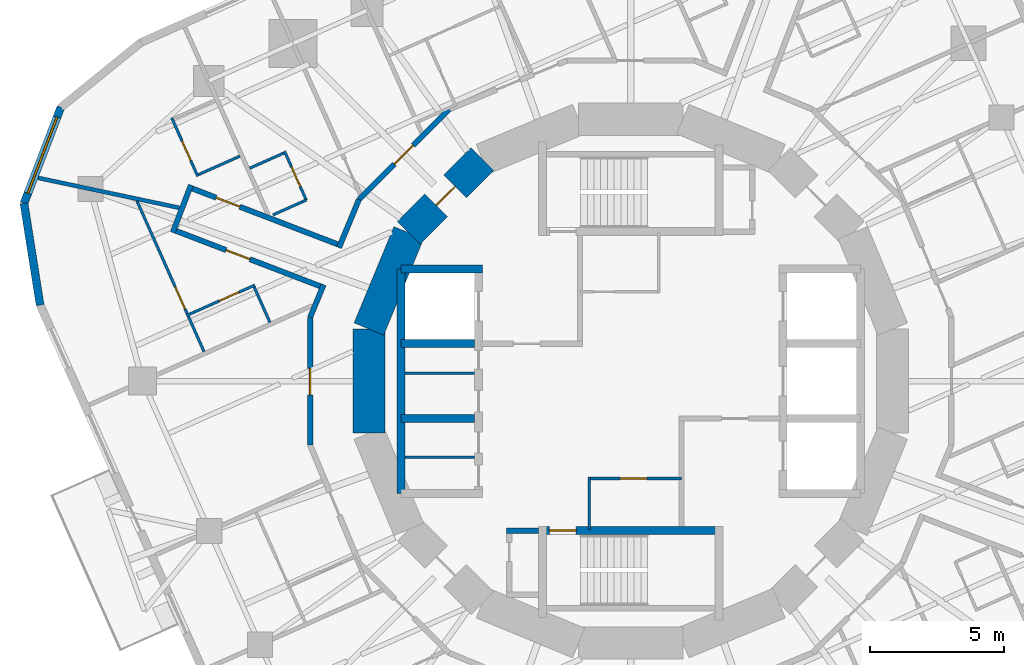
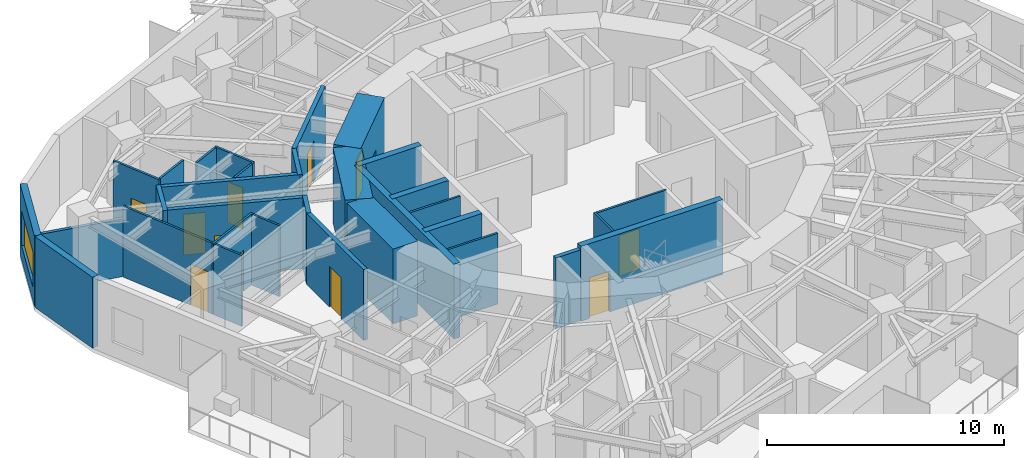
# One storey, part 6 of 12: 33 walls, 11 doors, 1 window, 12 openings.
"""IFC4 building model written with IfcOpenShell, lengths in metres."""

import ifcopenshell
import ifcopenshell.guid

model = None  # the IFC model being written
_history = None  # IfcOwnerHistory: only IFC2X3 demands one
_inside = {}  # id of a spatial element -> (the spatial element, [elements in it])
_under = {}  # id of a project, library or spatial element -> (it, [spatial elements below it])
_declared = {}  # id of a project -> (the project, [libraries it declares])
_typed = {}  # id of a type object -> (the type object, [elements of that type])
_made_of = {}  # id of a material, layer set ... -> (it, [elements and type objects made of it])


def new_model(schema):
    """Start an empty IFC model of exactly this schema.

    Asked for "IFC4X3", IfcOpenShell would pick the latest addendum, in which some entities
    have other attributes; the version numbers below select the first issue.
    IFC2X3 requires an IfcOwnerHistory on every rooted entity: one is made here for all.
    """
    global model, _history
    if schema == "IFC4X3":
        model = ifcopenshell.file(schema_version=(4, 3, 0, 0))
    else:
        model = ifcopenshell.file(schema=schema)
    _inside.clear()
    _under.clear()
    _declared.clear()
    _typed.clear()
    _made_of.clear()
    _history = None
    if model.schema == "IFC2X3":
        org = make("IfcOrganization", Name="unknown")
        user = make(
            "IfcPersonAndOrganization",
            ThePerson=make("IfcPerson", FamilyName="unknown"),
            TheOrganization=org,
        )
        app = make(
            "IfcApplication",
            ApplicationDeveloper=org,
            Version="unknown",
            ApplicationFullName="unknown",
            ApplicationIdentifier="unknown",
        )
        _history = make(
            "IfcOwnerHistory",
            OwningUser=user,
            OwningApplication=app,
            ChangeAction="ADDED",
            CreationDate=0,
        )
    return model


def make(cls, **values):
    """One entity of the class cls with the attributes given. An attribute that is None is left unset."""
    return model.create_entity(
        cls, **{name: value for name, value in values.items() if value is not None}
    )


def rooted(cls, **values):
    """An entity with a GlobalId (a new one), such as an element, a storey or a relation."""
    return make(cls, GlobalId=ifcopenshell.guid.new(), OwnerHistory=_history, **values)


def si_unit(unit_type, name, prefix=None):
    """IfcSIUnit, for example si_unit("LENGTHUNIT", "METRE", prefix="MILLI")."""
    return make("IfcSIUnit", UnitType=unit_type, Prefix=prefix, Name=name)


def assignment(units):
    """IfcUnitAssignment: the units of a project."""
    return None if units is None else make("IfcUnitAssignment", Units=units)


def point(xyz):
    """IfcCartesianPoint."""
    return None if xyz is None else make("IfcCartesianPoint", Coordinates=xyz)


def direction(xyz):
    """IfcDirection."""
    return None if xyz is None else make("IfcDirection", DirectionRatios=xyz)


def frame(location, z_axis=None, x_axis=None):
    """IfcAxis2Placement3D, a coordinate frame: its origin and axes. An axis left out is left unset."""
    return make(
        "IfcAxis2Placement3D",
        Location=point(location),
        Axis=direction(z_axis),
        RefDirection=direction(x_axis),
    )


def frame_2d(location, x_axis=None):
    """IfcAxis2Placement2D, a coordinate frame in the plane: its origin and x axis."""
    return make(
        "IfcAxis2Placement2D", Location=point(location), RefDirection=direction(x_axis)
    )


def origin():
    """The frame at (0, 0, 0) with its axes left unset."""
    return frame((0.0, 0.0, 0.0))


def place(relative_to, where):
    """IfcLocalPlacement: puts the frame where relative to a parent placement (None: the world)."""
    return make(
        "IfcLocalPlacement", PlacementRelTo=relative_to, RelativePlacement=where
    )


def context(
    kind, dimensions, precision=None, world=None, true_north=None, identifier=None
):
    """IfcGeometricRepresentationContext, for example the 3D "Model" context."""
    return make(
        "IfcGeometricRepresentationContext",
        ContextIdentifier=identifier,
        ContextType=kind,
        CoordinateSpaceDimension=dimensions,
        Precision=precision,
        WorldCoordinateSystem=world,
        TrueNorth=true_north,
    )


def subcontext(parent, identifier, kind, view, scale=None):
    """IfcGeometricRepresentationSubContext, for example "Body" below "Model"."""
    return make(
        "IfcGeometricRepresentationSubContext",
        ContextIdentifier=identifier,
        ContextType=kind,
        ParentContext=parent,
        TargetScale=scale,
        TargetView=view,
    )


def project(units=None, contexts=None):
    """IfcProject with its units and contexts."""
    return rooted(
        "IfcProject",
        Name="project",
        RepresentationContexts=contexts,
        UnitsInContext=assignment(units),
    )


def spatial(cls, under=None, at=None, **own):
    """A site, building, storey or space (cls), placed at a placement, below another one or the project."""
    s = rooted(cls, ObjectPlacement=at, **own)
    if under is not None:
        _under.setdefault(under.id(), (under, []))[1].append(s)
    return s


def profile(cls, at=None, kind="AREA", **sizes):
    """A parametric profile (cls). Its sizes go by their IFC names, for example OverallWidth=200.0."""
    return make(cls, ProfileType=kind, Position=at, **sizes)


def rectangle(**sizes):
    """IfcRectangleProfileDef."""
    return profile("IfcRectangleProfileDef", **sizes)


def extrude(swept, where, along, depth):
    """IfcExtrudedAreaSolid: the profile swept, set in the frame where, extruded along a direction by depth."""
    return make(
        "IfcExtrudedAreaSolid",
        SweptArea=swept,
        Position=where,
        ExtrudedDirection=direction(along),
        Depth=depth,
    )


def shape(context_of_items, identifier, shape_type, items):
    """IfcShapeRepresentation: the items that make up one representation, for example the "Body"."""
    return make(
        "IfcShapeRepresentation",
        ContextOfItems=context_of_items,
        RepresentationIdentifier=identifier,
        RepresentationType=shape_type,
        Items=items,
    )


def material(Name=None, Category=None):
    """IfcMaterial."""
    return make("IfcMaterial", Name=Name, Category=Category)


def layer(
    of_material, thickness, ventilated=None, Name=None, Category=None, Priority=None
):
    """IfcMaterialLayer: one layer of a wall or slab, of a material (None: an air gap)."""
    return make(
        "IfcMaterialLayer",
        Material=of_material,
        LayerThickness=thickness,
        IsVentilated=ventilated,
        Name=Name,
        Category=Category,
        Priority=Priority,
    )


def layer_set(layers, Name=None):
    """IfcMaterialLayerSet."""
    return make("IfcMaterialLayerSet", MaterialLayers=layers, LayerSetName=Name)


def made_of(thing, what):
    """Note that an element or type object is made of a material, layer set ...; save() writes the relation."""
    if what is not None:
        _made_of.setdefault(what.id(), (what, []))[1].append(thing)
    return thing


def type_object(cls, material=None, **own):
    """A type object (cls), such as IfcWallType, which elements share."""
    return made_of(rooted(cls, **own), material)


def element(
    cls,
    number,
    at=None,
    inside=None,
    cuts=None,
    type_object=None,
    material=None,
    context=None,
    identifier="Body",
    shape_type=None,
    held_by="IfcProductDefinitionShape",
    body=None,
    shapes=None,
    **own,
):
    """One element of the class cls, such as IfcWall. Its Tag is "e" and its number.

    at: its placement. inside: the storey or other place that contains it. cuts: it is an
    opening in that element (IfcRelVoidsElement). A single representation is given by context,
    identifier, shape_type and body (its items); several are given by shapes. held_by: the class
    of the entity that holds the representations. save() writes the other relations.
    """
    e = rooted(cls, Tag="e%d" % number, ObjectPlacement=at, **own)
    if body is not None:
        shapes = [shape(context, identifier, shape_type, body)]
    if shapes is not None:
        e.Representation = make(held_by, Representations=shapes)
    if inside is not None:
        _inside.setdefault(inside.id(), (inside, []))[1].append(e)
    if cuts is not None:
        rooted(
            "IfcRelVoidsElement", RelatingBuildingElement=cuts, RelatedOpeningElement=e
        )
    if type_object is not None:
        _typed.setdefault(type_object.id(), (type_object, []))[1].append(e)
    return made_of(e, material)


def fill(opening, filler):
    """IfcRelFillsElement: the door or window that sits in an opening."""
    return rooted(
        "IfcRelFillsElement",
        RelatingOpeningElement=opening,
        RelatedBuildingElement=filler,
    )


def aggregate(whole, parts):
    """IfcRelAggregates: a whole, such as a stair, and the parts it consists of."""
    return rooted("IfcRelAggregates", RelatingObject=whole, RelatedObjects=parts)


def save(model, path):
    """Write the relations noted so far, then the file.

    IfcRelAggregates (storeys below a building ...), IfcRelContainedInSpatialStructure (elements
    in a storey), IfcRelDefinesByType, IfcRelAssociatesMaterial and IfcRelDeclares: one each for
    every whole, place, type object, material and project.
    """
    for whole, parts in _under.values():
        aggregate(whole, parts)
    for where, things in _inside.values():
        rooted(
            "IfcRelContainedInSpatialStructure",
            RelatedElements=things,
            RelatingStructure=where,
        )
    for kind, things in _typed.values():
        rooted("IfcRelDefinesByType", RelatedObjects=things, RelatingType=kind)
    for what, things in _made_of.values():
        rooted("IfcRelAssociatesMaterial", RelatedObjects=things, RelatingMaterial=what)
    for by, libraries in _declared.values():
        rooted("IfcRelDeclares", RelatingContext=by, RelatedDefinitions=libraries)
    model.write(path)


model = new_model("IFC4")

# Units and contexts
model_context = context("Model", 3, precision=1e-05, world=origin(), true_north=direction((0.0, 1.0)))
body_context = subcontext(model_context, "Body", "Model", "MODEL_VIEW")
ifc_project = project(units=[si_unit("LENGTHUNIT", "METRE"), si_unit("AREAUNIT", "SQUARE_METRE"), si_unit("VOLUMEUNIT", "CUBIC_METRE"), si_unit("PLANEANGLEUNIT", "RADIAN"), si_unit("MASSUNIT", "GRAM", prefix="KILO")], contexts=[model_context])

# Site, building, storey
site_placement = place(None, origin())
site = spatial("IfcSite", under=ifc_project, at=site_placement, CompositionType="ELEMENT")
building_placement = place(site_placement, origin())
building = spatial("IfcBuilding", under=site, at=building_placement, Name="Nakasero Lantern House", CompositionType="ELEMENT")
storey_placement = place(building_placement, frame((0.0, 0.0, 186.300048828125)))
storey = spatial("IfcBuildingStorey", under=building, at=storey_placement, Name="L45", CompositionType="ELEMENT", Elevation=186.300048828125)

# Walls
ifc_material_1 = material(Name="Concrete C50/60", Category="concrete")
ifc_layer_1 = layer(ifc_material_1, 0.300048828125)
ifc_layer_set_1 = layer_set([ifc_layer_1], Name="Core inner wall 300")
wall_type_1 = type_object("IfcWallType", Name="Core inner wall 300", PredefinedType="SHEAR", material=ifc_layer_set_1)
wall_1_placement = place(storey_placement, frame((-8.60009765625, 4.199951171875, 0.0), z_axis=(0.0, 0.0, 1.0), x_axis=(1.0, 0.0, 0.0)))
element("IfcWall", 1, at=wall_1_placement, inside=storey, type_object=wall_type_1, Name="Core inner wall L45 LWN", PredefinedType="SHEAR", context=body_context, shape_type="SweptSolid", body=[
    extrude(rectangle(XDim=3.050048828125, YDim=0.300048828125, at=frame_2d((1.52490234375, 0.0))), origin(), (0.0, 0.0, 1.0), 3.849853515625),
])
wall_2_placement = place(storey_placement, frame((-8.60009765625, -4.199951171875, 0.0), z_axis=(0.0, 0.0, 1.0), x_axis=(0.0, 1.0, 0.0)))
element("IfcWall", 2, at=wall_2_placement, inside=storey, type_object=wall_type_1, Name="Core inner wall L45 LWB", PredefinedType="SHEAR", context=body_context, shape_type="SweptSolid", body=[
    extrude(rectangle(XDim=8.39990234375, YDim=0.300048828125, at=frame_2d((4.199951171875, 0.0))), origin(), (0.0, 0.0, 1.0), 3.849853515625),
])
for number, where, z_axis, x_axis, name in (
    (3, (-8.60009765625, -1.39990234375, 0.0), (0.0, 0.0, 1.0), (1.0, 0.0, 0.0), "Core inner wall L45 LW1"),
    (4, (-8.60009765625, 1.39990234375, 0.0), (0.0, 0.0, 1.0), (1.0, 0.0, 0.0), "Core inner wall L45 LW2"),
):
    element("IfcWall", number, at=place(storey_placement, frame(where, z_axis=z_axis, x_axis=x_axis)), inside=storey, type_object=wall_type_1, Name=name, PredefinedType="SHEAR", context=body_context, shape_type="SweptSolid", body=[
        extrude(rectangle(XDim=2.75, YDim=0.300048828125, at=frame_2d((1.375, 0.0))), origin(), (0.0, 0.0, 1.0), 3.849853515625),
    ])

# Wall, opening, door
wall_3_placement = place(storey_placement, frame((-3.449951171875, -5.60009765625, 0.0), z_axis=(0.0, 0.0, 1.0), x_axis=(1.0, 0.0, 0.0)))
wall_3 = element("IfcWall", 5, at=wall_3_placement, inside=storey, type_object=wall_type_1, Name="Core inner wall L45 SS", PredefinedType="SHEAR", context=body_context, shape_type="SweptSolid", body=[
    extrude(rectangle(XDim=6.89990234375, YDim=0.300048828125, at=frame_2d((3.449951171875, 0.0))), origin(), (0.0, 0.0, 1.0), 3.849853515625),
])
opening_1_placement = place(wall_3_placement, frame((0.39990234375, 0.0, 0.0)))
opening_1 = element("IfcOpeningElement", 6, at=opening_1_placement, cuts=wall_3, Name="Opening D05", PredefinedType="OPENING", context=body_context, shape_type="SweptSolid", body=[
    extrude(rectangle(XDim=1.0, YDim=2.10009765625, at=frame_2d((0.5, 1.050048828125))), frame((0.0, 0.169921875, 0.0), z_axis=(0.0, -1.0, 0.0), x_axis=(1.0, 0.0, 0.0)), (0.0, 0.0, 1.0), 0.340087890625),
])
ifc_material_2 = material(Name="Timber C24", Category="wood")
door_type_1 = type_object("IfcDoorType", Name="Core door FD60S 1000", OperationType="SINGLE_SWING_LEFT", PredefinedType="DOOR", material=ifc_material_2)
door_1_placement = place(opening_1_placement, origin())
door_1 = element("IfcDoor", 7, at=door_1_placement, inside=storey, type_object=door_type_1, Name="Door L45 D-ST2", OperationType="SINGLE_SWING_LEFT", OverallHeight=2.10009765625, OverallWidth=1.0, PredefinedType="DOOR", context=body_context, shape_type="SweptSolid", body=[
    extrude(rectangle(XDim=1.0, YDim=2.10009765625, at=frame_2d((0.5, 1.050048828125))), frame((0.0, 0.02490234375, 0.0), z_axis=(0.0, -1.0, 0.0), x_axis=(1.0, 0.0, 0.0)), (0.0, 0.0, 1.0), 0.050048828125),
])
fill(opening_1, door_1)

ifc_material_3 = material(Name="Blockwork", Category="masonry")
ifc_layer_2 = layer(ifc_material_3, 0.10009765625)
ifc_layer_set_2 = layer_set([ifc_layer_2], Name="Core room wall 100")
wall_type_2 = type_object("IfcWallType", Name="Core room wall 100", PredefinedType="PARTITIONING", material=ifc_layer_set_2)
wall_4_placement = place(storey_placement, frame((-1.60009765625, -3.64990234375, 0.0), z_axis=(0.0, 0.0, 1.0), x_axis=(1.0, 0.0, 0.0)))
wall_4 = element("IfcWall", 8, at=wall_4_placement, inside=storey, type_object=wall_type_2, Name="Core room wall L45 CR-SWN", PredefinedType="PARTITIONING", context=body_context, shape_type="SweptSolid", body=[
    extrude(rectangle(XDim=3.5, YDim=0.10009765625, at=frame_2d((1.75, 0.0))), origin(), (0.0, 0.0, 1.0), 3.64990234375),
])
opening_2_placement = place(wall_4_placement, frame((1.199951171875, 0.0, 0.0)))
opening_2 = element("IfcOpeningElement", 9, at=opening_2_placement, cuts=wall_4, Name="Opening D07", PredefinedType="OPENING", context=body_context, shape_type="SweptSolid", body=[
    extrude(rectangle(XDim=1.0, YDim=2.10009765625, at=frame_2d((0.5, 1.050048828125))), frame((0.0, 0.070068359375, 0.0), z_axis=(0.0, -1.0, 0.0), x_axis=(1.0, 0.0, 0.0)), (0.0, 0.0, 1.0), 0.14013671875),
])
ifc_material_4 = material(Name="Timber C24", Category="wood")
door_type_2 = type_object("IfcDoorType", Name="Room door FD30S 1000", OperationType="SINGLE_SWING_LEFT", PredefinedType="DOOR", material=ifc_material_4)
door_2_placement = place(opening_2_placement, origin())
door_2 = element("IfcDoor", 10, at=door_2_placement, inside=storey, type_object=door_type_2, Name="Door L45 D-CR-SW", OperationType="SINGLE_SWING_LEFT", OverallHeight=2.10009765625, OverallWidth=1.0, PredefinedType="DOOR", context=body_context, shape_type="SweptSolid", body=[
    extrude(rectangle(XDim=1.0, YDim=2.10009765625, at=frame_2d((0.5, 1.050048828125))), frame((0.0, 0.02490234375, 0.0), z_axis=(0.0, -1.0, 0.0), x_axis=(1.0, 0.0, 0.0)), (0.0, 0.0, 1.0), 0.050048828125),
])
fill(opening_2, door_2)

# Walls
wall_5_placement = place(storey_placement, frame((-1.550048828125, -5.550048828125, 0.0), z_axis=(0.0, 0.0, 1.0), x_axis=(0.0, 1.0, 0.0)))
element("IfcWall", 11, at=wall_5_placement, inside=storey, type_object=wall_type_2, Name="Core room wall L45 CR-SWW", PredefinedType="PARTITIONING", context=body_context, shape_type="SweptSolid", body=[
    extrude(rectangle(XDim=1.949951171875, YDim=0.10009765625, at=frame_2d((0.97509765625, 0.0))), origin(), (0.0, 0.0, 1.0), 3.64990234375),
])
for number, where, z_axis, x_axis, name in (
    (12, (-8.449951171875, -2.85009765625, 0.0), (0.0, 0.0, 1.0), (1.0, 0.0, 0.0), "Core room wall L45 CR-SH-LW1b"),
    (13, (-8.449951171875, 0.300048828125, 0.0), (0.0, 0.0, 1.0), (1.0, 0.0, 0.0), "Core room wall L45 CR-SH-LW2b"),
):
    element("IfcWall", number, at=place(storey_placement, frame(where, z_axis=z_axis, x_axis=x_axis)), inside=storey, type_object=wall_type_2, Name=name, PredefinedType="PARTITIONING", context=body_context, shape_type="SweptSolid", body=[
        extrude(rectangle(XDim=2.599853515625, YDim=0.10009765625, at=frame_2d((1.2998046875, 0.0))), origin(), (0.0, 0.0, 1.0), 3.64990234375),
    ])

# Wall, opening, door
ifc_material_5 = material(Name="Concrete C50/60", Category="concrete")
ifc_layer_3 = layer(ifc_material_5, 1.199951171875)
ifc_layer_set_3 = layer_set([ifc_layer_3], Name="Core wall 1200")
wall_type_3 = type_object("IfcWallType", Name="Core wall 1200", PredefinedType="SHEAR", material=ifc_layer_set_3)
wall_6_placement = place(storey_placement, frame((-5.5556640625, 8.314697265625, 0.0), z_axis=(0.0, 0.0, 1.0), x_axis=(-0.707106781187, -0.707106781187, 0.0)))
wall_6 = element("IfcWall", 14, at=wall_6_placement, inside=storey, type_object=wall_type_3, Name="Core wall L45 facet 6", PredefinedType="SHEAR", context=body_context, shape_type="SweptSolid", body=[
    extrude(rectangle(XDim=3.90185546875, YDim=1.199951171875, at=frame_2d((1.950927734375, 0.0))), origin(), (0.0, 0.0, 1.0), 3.849853515625),
])
opening_3_placement = place(wall_6_placement, frame((1.450927734375, 0.0, 0.0)))
opening_3 = element("IfcOpeningElement", 15, at=opening_3_placement, cuts=wall_6, Name="Opening D05", PredefinedType="OPENING", context=body_context, shape_type="SweptSolid", body=[
    extrude(rectangle(XDim=1.0, YDim=2.10009765625, at=frame_2d((0.5, 1.050048828125))), frame((0.0, 0.619873046875, 0.0), z_axis=(0.0, -1.0, 0.0), x_axis=(1.0, 0.0, 0.0)), (0.0, 0.0, 1.0), 1.239990234375),
])
door_3_placement = place(opening_3_placement, origin())
door_3 = element("IfcDoor", 16, at=door_3_placement, inside=storey, type_object=door_type_1, Name="Door L45 D-CORE06", OperationType="SINGLE_SWING_LEFT", OverallHeight=2.10009765625, OverallWidth=1.0, PredefinedType="DOOR", context=body_context, shape_type="SweptSolid", body=[
    extrude(rectangle(XDim=1.0, YDim=2.10009765625, at=frame_2d((0.5, 1.050048828125))), frame((0.0, 0.02490234375, 0.0), z_axis=(0.0, -1.0, 0.0), x_axis=(1.0, 0.0, 0.0)), (0.0, 0.0, 1.0), 0.050048828125),
])
fill(opening_3, door_3)

# Walls
for number, where, z_axis, x_axis, name in (
    (17, (-8.314697265625, 5.5556640625, 0.0), (0.0, 0.0, 1.0), (-0.382690736062, -0.923876507187, 0.0), "Core wall L45 facet 7"),
    (18, (-9.807861328125, 1.950927734375, 0.0), (0.0, 0.0, 1.0), (0.0, -1.0, 0.0), "Core wall L45 facet 8"),
):
    element("IfcWall", number, at=place(storey_placement, frame(where, z_axis=z_axis, x_axis=x_axis)), inside=storey, type_object=wall_type_3, Name=name, PredefinedType="SHEAR", context=body_context, shape_type="SweptSolid", body=[
        extrude(rectangle(XDim=3.90185546875, YDim=1.199951171875, at=frame_2d((1.950927734375, 0.0))), origin(), (0.0, 0.0, 1.0), 3.849853515625),
    ])

# Wall, opening, door
ifc_material_6 = material(Name="Blockwork", Category="masonry")
ifc_layer_4 = layer(ifc_material_6, 0.199951171875)
ifc_layer_set_4 = layer_set([ifc_layer_4], Name="Corridor wall 200")
wall_type_4 = type_object("IfcWallType", Name="Corridor wall 200", PredefinedType="PARTITIONING", material=ifc_layer_set_4)
wall_7_placement = place(storey_placement, frame((-12.0078125, -2.388427734375, 0.0), z_axis=(0.0, 0.0, 1.0), x_axis=(0.0, 1.0, 0.0)))
wall_7 = element("IfcWall", 19, at=wall_7_placement, inside=storey, type_object=wall_type_4, Name="Corridor wall L45 RC08a", PredefinedType="PARTITIONING", context=body_context, shape_type="SweptSolid", body=[
    extrude(rectangle(XDim=4.77685546875, YDim=0.199951171875, at=frame_2d((2.388427734375, 0.0))), origin(), (0.0, 0.0, 1.0), 3.64990234375),
])
opening_4_placement = place(wall_7_placement, frame((1.8701171875, 0.0, 0.0)))
opening_4 = element("IfcOpeningElement", 20, at=opening_4_placement, cuts=wall_7, Name="Opening D03", PredefinedType="OPENING", context=body_context, shape_type="SweptSolid", body=[
    extrude(rectangle(XDim=1.0, YDim=2.10009765625, at=frame_2d((0.5, 1.050048828125))), frame((0.0, 0.119873046875, 0.0), z_axis=(0.0, -1.0, 0.0), x_axis=(1.0, 0.0, 0.0)), (0.0, 0.0, 1.0), 0.239990234375),
])
ifc_material_7 = material(Name="Timber C24", Category="wood")
door_type_3 = type_object("IfcDoorType", Name="Lounge door FD30S 1000", OperationType="SINGLE_SWING_LEFT", PredefinedType="DOOR", material=ifc_material_7)
door_4_placement = place(opening_4_placement, origin())
door_4 = element("IfcDoor", 21, at=door_4_placement, inside=storey, type_object=door_type_3, Name="Door L45 DK2", OperationType="SINGLE_SWING_LEFT", OverallHeight=2.10009765625, OverallWidth=1.0, PredefinedType="DOOR", context=body_context, shape_type="SweptSolid", body=[
    extrude(rectangle(XDim=1.0, YDim=2.10009765625, at=frame_2d((0.5, 1.050048828125))), frame((0.0, 0.02490234375, 0.0), z_axis=(0.0, -1.0, 0.0), x_axis=(1.0, 0.0, 0.0)), (0.0, 0.0, 1.0), 0.050048828125),
])
fill(opening_4, door_4)

# Walls
wall_8_placement = place(storey_placement, frame((-12.0078125, 2.388427734375, 0.0), z_axis=(0.0, 0.0, 1.0), x_axis=(0.382650385623, 0.923893220228, 0.0)))
element("IfcWall", 22, at=wall_8_placement, inside=storey, type_object=wall_type_4, Name="Corridor wall L45 RC09a", PredefinedType="PARTITIONING", context=body_context, shape_type="SweptSolid", body=[
    extrude(rectangle(XDim=1.323974609375, YDim=0.199951171875, at=frame_2d((0.662109375, 0.0))), origin(), (0.0, 0.0, 1.0), 3.64990234375),
])
wall_9_placement = place(storey_placement, frame((-10.927001953125, 4.997802734375, 0.0), z_axis=(0.0, 0.0, 1.0), x_axis=(0.382679353297, 0.923881222106, 0.0)))
element("IfcWall", 23, at=wall_9_placement, inside=storey, type_object=wall_type_4, Name="Corridor wall L45 RC09b", PredefinedType="PARTITIONING", context=body_context, shape_type="SweptSolid", body=[
    extrude(rectangle(XDim=1.952880859375, YDim=0.199951171875, at=frame_2d((0.9765625, 0.0))), origin(), (0.0, 0.0, 1.0), 3.64990234375),
])

# Wall, opening, door
wall_10_placement = place(storey_placement, frame((-10.1796875, 6.802001953125, 0.0), z_axis=(0.0, 0.0, 1.0), x_axis=(0.707106781187, 0.707106781187, 0.0)))
wall_10 = element("IfcWall", 24, at=wall_10_placement, inside=storey, type_object=wall_type_4, Name="Corridor wall L45 RC10a", PredefinedType="PARTITIONING", context=body_context, shape_type="SweptSolid", body=[
    extrude(rectangle(XDim=4.77685546875, YDim=0.199951171875, at=frame_2d((2.388427734375, 0.0))), origin(), (0.0, 0.0, 1.0), 3.64990234375),
])
opening_5_placement = place(wall_10_placement, frame((1.8701171875, 0.0, 0.0)))
opening_5 = element("IfcOpeningElement", 25, at=opening_5_placement, cuts=wall_10, Name="Opening D14", PredefinedType="OPENING", context=body_context, shape_type="SweptSolid", body=[
    extrude(rectangle(XDim=1.0, YDim=2.10009765625, at=frame_2d((0.5, 1.050048828125))), frame((0.0, 0.119873046875, 0.0), z_axis=(0.0, -1.0, 0.0), x_axis=(1.0, 0.0, 0.0)), (0.0, 0.0, 1.0), 0.239990234375),
])
ifc_material_8 = material(Name="Timber C24", Category="wood")
door_type_4 = type_object("IfcDoorType", Name="Cluster entrance door FD30S 1000", OperationType="SINGLE_SWING_LEFT", PredefinedType="DOOR", material=ifc_material_8)
door_5_placement = place(opening_5_placement, origin())
door_5 = element("IfcDoor", 26, at=door_5_placement, inside=storey, type_object=door_type_4, Name="Door L45 D1-04", OperationType="SINGLE_SWING_LEFT", OverallHeight=2.10009765625, OverallWidth=1.0, PredefinedType="DOOR", context=body_context, shape_type="SweptSolid", body=[
    extrude(rectangle(XDim=1.0, YDim=2.10009765625, at=frame_2d((0.5, 1.050048828125))), frame((0.0, 0.02490234375, 0.0), z_axis=(0.0, -1.0, 0.0), x_axis=(1.0, 0.0, 0.0)), (0.0, 0.0, 1.0), 0.050048828125),
])
fill(opening_5, door_5)

wall_11_placement = place(storey_placement, frame((-10.888671875, 5.09033203125, 0.0), z_axis=(0.0, 0.0, 1.0), x_axis=(-0.933587089798, 0.35835059057, 0.0)))
wall_11 = element("IfcWall", 27, at=wall_11_placement, inside=storey, type_object=wall_type_4, Name="Corridor wall L45 SP1a", PredefinedType="PARTITIONING", context=body_context, shape_type="SweptSolid", body=[
    extrude(rectangle(XDim=6.117919921875, YDim=0.199951171875, at=frame_2d((3.05908203125, 0.0))), origin(), (0.0, 0.0, 1.0), 3.64990234375),
])
opening_6_placement = place(wall_11_placement, frame((4.02001953125, 0.0, 0.0)))
opening_6 = element("IfcOpeningElement", 28, at=opening_6_placement, cuts=wall_11, Name="Opening D01", PredefinedType="OPENING", context=body_context, shape_type="SweptSolid", body=[
    extrude(rectangle(XDim=0.949951171875, YDim=2.10009765625, at=frame_2d((0.47509765625, 1.050048828125))), frame((0.0, 0.119873046875, 0.0), z_axis=(0.0, -1.0, 0.0), x_axis=(1.0, 0.0, 0.0)), (0.0, 0.0, 1.0), 0.239990234375),
])
ifc_material_9 = material(Name="Timber C24", Category="wood")
door_type_5 = type_object("IfcDoorType", Name="Bedroom door FD30S 950", OperationType="SINGLE_SWING_LEFT", PredefinedType="DOOR", material=ifc_material_9)
door_6_placement = place(opening_6_placement, origin())
door_6 = element("IfcDoor", 29, at=door_6_placement, inside=storey, type_object=door_type_5, Name="Door L45 D1-06", OperationType="SINGLE_SWING_RIGHT", OverallHeight=2.10009765625, OverallWidth=0.949951171875, PredefinedType="DOOR", context=body_context, shape_type="SweptSolid", body=[
    extrude(rectangle(XDim=0.949951171875, YDim=2.10009765625, at=frame_2d((0.47509765625, 1.050048828125))), frame((0.0, 0.02490234375, 0.0), z_axis=(0.0, -1.0, 0.0), x_axis=(1.0, 0.0, 0.0)), (0.0, 0.0, 1.0), 0.050048828125),
])
fill(opening_6, door_6)

wall_12_placement = place(storey_placement, frame((-11.53955078125, 3.51904296875, 0.0), z_axis=(0.0, 0.0, 1.0), x_axis=(-0.93357023507, 0.358394497993, 0.0)))
wall_12 = element("IfcWall", 30, at=wall_12_placement, inside=storey, type_object=wall_type_4, Name="Corridor wall L45 SP1b", PredefinedType="PARTITIONING", context=body_context, shape_type="SweptSolid", body=[
    extrude(rectangle(XDim=6.07373046875, YDim=0.199951171875, at=frame_2d((3.036865234375, 0.0))), origin(), (0.0, 0.0, 1.0), 3.64990234375),
])
opening_7_placement = place(wall_12_placement, frame((2.919921875, 0.0, 0.0)))
opening_7 = element("IfcOpeningElement", 31, at=opening_7_placement, cuts=wall_12, Name="Opening D01", PredefinedType="OPENING", context=body_context, shape_type="SweptSolid", body=[
    extrude(rectangle(XDim=0.949951171875, YDim=2.10009765625, at=frame_2d((0.47509765625, 1.050048828125))), frame((0.0, 0.119873046875, 0.0), z_axis=(0.0, -1.0, 0.0), x_axis=(1.0, 0.0, 0.0)), (0.0, 0.0, 1.0), 0.239990234375),
])
door_7_placement = place(opening_7_placement, origin())
door_7 = element("IfcDoor", 32, at=door_7_placement, inside=storey, type_object=door_type_5, Name="Door L45 D2-00", OperationType="SINGLE_SWING_RIGHT", OverallHeight=2.10009765625, OverallWidth=0.949951171875, PredefinedType="DOOR", context=body_context, shape_type="SweptSolid", body=[
    extrude(rectangle(XDim=0.949951171875, YDim=2.10009765625, at=frame_2d((0.47509765625, 1.050048828125))), frame((0.0, 0.02490234375, 0.0), z_axis=(0.0, -1.0, 0.0), x_axis=(1.0, 0.0, 0.0)), (0.0, 0.0, 1.0), 0.050048828125),
])
fill(opening_7, door_7)

# Wall
wall_13_placement = place(storey_placement, frame((-16.47119140625, 7.34033203125, 0.0), z_axis=(0.0, 0.0, 1.0), x_axis=(-0.3583504709, -0.933587135733, 0.0)))
element("IfcWall", 33, at=wall_13_placement, inside=storey, type_object=wall_type_4, Name="Corridor wall L45 SP1e", PredefinedType="PARTITIONING", context=body_context, shape_type="SweptSolid", body=[
    extrude(rectangle(XDim=1.900146484375, YDim=0.199951171875, at=frame_2d((0.9501953125, 0.0))), origin(), (0.0, 0.0, 1.0), 3.64990234375),
])

# Wall, opening, door
ifc_material_10 = material(Name="Blockwork", Category="masonry")
ifc_layer_5 = layer(ifc_material_10, 0.10009765625)
ifc_layer_set_5 = layer_set([ifc_layer_5], Name="En-suite wall 100")
wall_type_5 = type_object("IfcWallType", Name="En-suite wall 100", PredefinedType="PARTITIONING", material=ifc_layer_set_5)
wall_14_placement = place(storey_placement, frame((-12.153564453125, 6.78125, 0.0), z_axis=(0.0, 0.0, 1.0), x_axis=(-0.406772684097, 0.913529410294, 0.0)))
wall_14 = element("IfcWall", 34, at=wall_14_placement, inside=storey, type_object=wall_type_5, Name="En-suite wall L45 ES1-05", PredefinedType="PARTITIONING", context=body_context, shape_type="SweptSolid", body=[
    extrude(rectangle(XDim=1.999755859375, YDim=0.10009765625, at=frame_2d((1.0, 0.0))), origin(), (0.0, 0.0, 1.0), 3.64990234375),
])
opening_8_placement = place(wall_14_placement, frame((0.550048828125, 0.0, 0.0)))
opening_8 = element("IfcOpeningElement", 35, at=opening_8_placement, cuts=wall_14, Name="Opening D02", PredefinedType="OPENING", context=body_context, shape_type="SweptSolid", body=[
    extrude(rectangle(XDim=0.800048828125, YDim=2.10009765625, at=frame_2d((0.39990234375, 1.050048828125))), frame((0.0, 0.070068359375, 0.0), z_axis=(0.0, -1.0, 0.0), x_axis=(1.0, 0.0, 0.0)), (0.0, 0.0, 1.0), 0.14013671875),
])
ifc_material_11 = material(Name="Timber C24", Category="wood")
door_type_6 = type_object("IfcDoorType", Name="En-suite door 800", OperationType="SINGLE_SWING_RIGHT", PredefinedType="DOOR", material=ifc_material_11)
door_8_placement = place(opening_8_placement, origin())
door_8 = element("IfcDoor", 36, at=door_8_placement, inside=storey, type_object=door_type_6, Name="Door L45 DE1-05", OperationType="SINGLE_SWING_LEFT", OverallHeight=2.10009765625, OverallWidth=0.800048828125, PredefinedType="DOOR", context=body_context, shape_type="SweptSolid", body=[
    extrude(rectangle(XDim=0.800048828125, YDim=2.10009765625, at=frame_2d((0.39990234375, 1.050048828125))), frame((0.0, 0.02490234375, 0.0), z_axis=(0.0, -1.0, 0.0), x_axis=(1.0, 0.0, 0.0)), (0.0, 0.0, 1.0), 0.050048828125),
])
fill(opening_8, door_8)

# Wall
wall_15_placement = place(storey_placement, frame((-12.992431640625, 8.542236328125, 0.0), z_axis=(0.0, 0.0, 1.0), x_axis=(-0.913487636581, -0.406866486472, 0.0)))
element("IfcWall", 37, at=wall_15_placement, inside=storey, type_object=wall_type_5, Name="En-suite wall L45 EE1-05", PredefinedType="PARTITIONING", context=body_context, shape_type="SweptSolid", body=[
    extrude(rectangle(XDim=1.39990234375, YDim=0.10009765625, at=frame_2d((0.699951171875, 0.0))), origin(), (0.0, 0.0, 1.0), 3.64990234375),
])

# Wall, opening, door
wall_16_placement = place(storey_placement, frame((-16.215087890625, 7.66748046875, 0.0), z_axis=(0.0, 0.0, 1.0), x_axis=(-0.40677069889, 0.913530294257, 0.0)))
wall_16 = element("IfcWall", 38, at=wall_16_placement, inside=storey, type_object=wall_type_5, Name="En-suite wall L45 ES1-06", PredefinedType="PARTITIONING", context=body_context, shape_type="SweptSolid", body=[
    extrude(rectangle(XDim=2.400146484375, YDim=0.10009765625, at=frame_2d((1.2001953125, 0.0))), origin(), (0.0, 0.0, 1.0), 3.64990234375),
])
opening_9_placement = place(wall_16_placement, frame((0.64990234375, 0.0, 0.0)))
opening_9 = element("IfcOpeningElement", 39, at=opening_9_placement, cuts=wall_16, Name="Opening D02", PredefinedType="OPENING", context=body_context, shape_type="SweptSolid", body=[
    extrude(rectangle(XDim=0.800048828125, YDim=2.10009765625, at=frame_2d((0.39990234375, 1.050048828125))), frame((0.0, 0.070068359375, 0.0), z_axis=(0.0, -1.0, 0.0), x_axis=(1.0, 0.0, 0.0)), (0.0, 0.0, 1.0), 0.14013671875),
])
door_9_placement = place(opening_9_placement, origin())
door_9 = element("IfcDoor", 40, at=door_9_placement, inside=storey, type_object=door_type_6, Name="Door L45 DE1-06", OperationType="SINGLE_SWING_LEFT", OverallHeight=2.10009765625, OverallWidth=0.800048828125, PredefinedType="DOOR", context=body_context, shape_type="SweptSolid", body=[
    extrude(rectangle(XDim=0.800048828125, YDim=2.10009765625, at=frame_2d((0.39990234375, 1.050048828125))), frame((0.0, 0.02490234375, 0.0), z_axis=(0.0, -1.0, 0.0), x_axis=(1.0, 0.0, 0.0)), (0.0, 0.0, 1.0), 0.050048828125),
])
fill(opening_9, door_9)

# Wall
wall_17_placement = place(storey_placement, frame((-14.63671875, 8.425048828125, 0.0), z_axis=(0.0, 0.0, 1.0), x_axis=(-0.91357452948, -0.406671340378, 0.0)))
element("IfcWall", 41, at=wall_17_placement, inside=storey, type_object=wall_type_5, Name="En-suite wall L45 EI1-06", PredefinedType="PARTITIONING", context=body_context, shape_type="SweptSolid", body=[
    extrude(rectangle(XDim=1.7001953125, YDim=0.10009765625, at=frame_2d((0.85009765625, 0.0))), origin(), (0.0, 0.0, 1.0), 3.64990234375),
])

# Wall, opening, door
wall_18_placement = place(storey_placement, frame((-14.079345703125, 3.594482421875, 0.0), z_axis=(0.0, 0.0, 1.0), x_axis=(-0.913534471978, -0.406761316386, 0.0)))
wall_18 = element("IfcWall", 42, at=wall_18_placement, inside=storey, type_object=wall_type_5, Name="En-suite wall L45 ES2-00", PredefinedType="PARTITIONING", context=body_context, shape_type="SweptSolid", body=[
    extrude(rectangle(XDim=2.800048828125, YDim=0.10009765625, at=frame_2d((1.39990234375, 0.0))), origin(), (0.0, 0.0, 1.0), 3.64990234375),
])
opening_10_placement = place(wall_18_placement, frame((0.64990234375, 0.0, 0.0)))
opening_10 = element("IfcOpeningElement", 43, at=opening_10_placement, cuts=wall_18, Name="Opening D02", PredefinedType="OPENING", context=body_context, shape_type="SweptSolid", body=[
    extrude(rectangle(XDim=0.800048828125, YDim=2.10009765625, at=frame_2d((0.39990234375, 1.050048828125))), frame((0.0, 0.070068359375, 0.0), z_axis=(0.0, -1.0, 0.0), x_axis=(1.0, 0.0, 0.0)), (0.0, 0.0, 1.0), 0.14013671875),
])
door_10_placement = place(opening_10_placement, origin())
door_10 = element("IfcDoor", 44, at=door_10_placement, inside=storey, type_object=door_type_6, Name="Door L45 DE2-00", OperationType="SINGLE_SWING_LEFT", OverallHeight=2.10009765625, OverallWidth=0.800048828125, PredefinedType="DOOR", context=body_context, shape_type="SweptSolid", body=[
    extrude(rectangle(XDim=0.800048828125, YDim=2.10009765625, at=frame_2d((0.39990234375, 1.050048828125))), frame((0.0, 0.02490234375, 0.0), z_axis=(0.0, -1.0, 0.0), x_axis=(1.0, 0.0, 0.0)), (0.0, 0.0, 1.0), 0.050048828125),
])
fill(opening_10, door_10)

# Walls
for number, where, z_axis, x_axis, name in (
    (45, (-16.571044921875, 2.430419921875, 0.0), (0.0, 0.0, 1.0), (0.406622700638, -0.91359617957, 0.0), "En-suite wall L45 EE2-00"),
    (46, (-14.1044921875, 3.528564453125, 0.0), (0.0, 0.0, 1.0), (0.406622700638, -0.91359617957, 0.0), "En-suite wall L45 EI2-00"),
):
    element("IfcWall", number, at=place(storey_placement, frame(where, z_axis=z_axis, x_axis=x_axis)), inside=storey, type_object=wall_type_5, Name=name, PredefinedType="PARTITIONING", context=body_context, shape_type="SweptSolid", body=[
        extrude(rectangle(XDim=1.449951171875, YDim=0.10009765625, at=frame_2d((0.72509765625, 0.0))), origin(), (0.0, 0.0, 1.0), 3.64990234375),
    ])

# Wall, opening, door
wall_19_placement = place(storey_placement, frame((-18.494140625, 6.749267578125, 0.0), z_axis=(0.0, 0.0, 1.0), x_axis=(0.406755138931, -0.913537222533, 0.0)))
wall_19 = element("IfcWall", 47, at=wall_19_placement, inside=storey, type_object=wall_type_5, Name="En-suite wall L45 EL2-00", PredefinedType="PARTITIONING", context=body_context, shape_type="SweptSolid", body=[
    extrude(rectangle(XDim=4.627685546875, YDim=0.10009765625, at=frame_2d((2.31396484375, 0.0))), origin(), (0.0, 0.0, 1.0), 3.64990234375),
])
opening_11_placement = place(wall_19_placement, frame((3.527587890625, 0.0, 0.0)))
opening_11 = element("IfcOpeningElement", 48, at=opening_11_placement, cuts=wall_19, Name="Opening D17", PredefinedType="OPENING", context=body_context, shape_type="SweptSolid", body=[
    extrude(rectangle(XDim=0.89990234375, YDim=2.10009765625, at=frame_2d((0.449951171875, 1.050048828125))), frame((0.0, 0.070068359375, 0.0), z_axis=(0.0, -1.0, 0.0), x_axis=(1.0, 0.0, 0.0)), (0.0, 0.0, 1.0), 0.14013671875),
])
ifc_material_12 = material(Name="Timber C24", Category="wood")
door_type_7 = type_object("IfcDoorType", Name="Bedroom door FD30S 900", OperationType="SINGLE_SWING_LEFT", PredefinedType="DOOR", material=ifc_material_12)
door_11_placement = place(opening_11_placement, origin())
door_11 = element("IfcDoor", 49, at=door_11_placement, inside=storey, type_object=door_type_7, Name="Door L45 DL2-00", OperationType="SINGLE_SWING_RIGHT", OverallHeight=2.10009765625, OverallWidth=0.89990234375, PredefinedType="DOOR", context=body_context, shape_type="SweptSolid", body=[
    extrude(rectangle(XDim=0.89990234375, YDim=2.10009765625, at=frame_2d((0.449951171875, 1.050048828125))), frame((0.0, 0.02490234375, 0.0), z_axis=(0.0, -1.0, 0.0), x_axis=(1.0, 0.0, 0.0)), (0.0, 0.0, 1.0), 0.050048828125),
])
fill(opening_11, door_11)

# Walls
wall_20_placement = place(storey_placement, frame((-13.400634765625, 6.225830078125, 0.0), z_axis=(0.0, 0.0, 1.0), x_axis=(0.913544055495, 0.406739792336, 0.0)))
element("IfcWall", 50, at=wall_20_placement, inside=storey, type_object=wall_type_5, Name="En-suite wall L45 EX001", PredefinedType="PARTITIONING", context=body_context, shape_type="SweptSolid", body=[
    extrude(rectangle(XDim=1.205322265625, YDim=0.10009765625, at=frame_2d((0.6025390625, 0.0))), origin(), (0.0, 0.0, 1.0), 3.64990234375),
])
wall_21_placement = place(storey_placement, frame((-12.153564453125, 6.78125, 0.0), z_axis=(0.0, 0.0, 1.0), x_axis=(-0.913117581485, -0.407696311466, 0.0)))
element("IfcWall", 51, at=wall_21_placement, inside=storey, type_object=wall_type_5, Name="En-suite wall L45 ES1-05R0", PredefinedType="PARTITIONING", context=body_context, shape_type="SweptSolid", body=[
    extrude(rectangle(XDim=0.159912109375, YDim=0.10009765625, at=frame_2d((0.080078125, 0.0))), origin(), (0.0, 0.0, 1.0), 3.64990234375),
])

# Wall, opening, window
ifc_material_13 = material(Name="Aluminium rainscreen on blockwork", Category="masonry")
ifc_layer_6 = layer(ifc_material_13, 0.300048828125)
ifc_layer_set_6 = layer_set([ifc_layer_6], Name="Facade wall 300")
wall_type_6 = type_object("IfcWallType", Name="Facade wall 300", PredefinedType="SOLIDWALL", material=ifc_layer_set_6)
wall_22_placement = place(storey_placement, frame((-21.342529296875, 10.258056640625, 0.0), z_axis=(0.0, 0.0, 1.0), x_axis=(-0.358321438858, -0.933598278948, 0.0)))
wall_22 = element("IfcWall", 52, at=wall_22_placement, inside=storey, type_object=wall_type_6, Name="Facade wall L45 FW1C2", PredefinedType="SOLIDWALL", context=body_context, shape_type="SweptSolid", body=[
    extrude(rectangle(XDim=3.8564453125, YDim=0.300048828125, at=frame_2d((1.92822265625, 0.0))), origin(), (0.0, 0.0, 1.0), 3.64990234375),
])
opening_12_placement = place(wall_22_placement, frame((0.39990234375, 0.0, 0.75)))
opening_12 = element("IfcOpeningElement", 53, at=opening_12_placement, cuts=wall_22, Name="Opening W230", PredefinedType="OPENING", context=body_context, shape_type="SweptSolid", body=[
    extrude(rectangle(XDim=3.055908203125, YDim=1.800048828125, at=frame_2d((1.52783203125, 0.89990234375))), frame((0.0, 0.169921875, 0.0), z_axis=(0.0, -1.0, 0.0), x_axis=(1.0, 0.0, 0.0)), (0.0, 0.0, 1.0), 0.340087890625),
])
ifc_material_14 = material(Name="Aluminium 6063-T6 and glass", Category="aluminium")
window_type = type_object("IfcWindowType", Name="Corner window 3056x1800", PartitioningType="SINGLE_PANEL", PredefinedType="WINDOW", material=ifc_material_14)
window_placement = place(opening_12_placement, origin())
window = element("IfcWindow", 54, at=window_placement, inside=storey, type_object=window_type, Name="Window L45 WC1", OverallHeight=1.800048828125, OverallWidth=3.055908203125, PartitioningType="SINGLE_PANEL", PredefinedType="WINDOW", context=body_context, shape_type="SweptSolid", body=[
    extrude(rectangle(XDim=3.055908203125, YDim=1.800048828125, at=frame_2d((1.52783203125, 0.89990234375))), frame((0.0, 0.030029296875, 0.0), z_axis=(0.0, -1.0, 0.0), x_axis=(1.0, 0.0, 0.0)), (0.0, 0.0, 1.0), 0.06005859375),
])
fill(opening_12, window)

# Walls
wall_23_placement = place(storey_placement, frame((-22.724365234375, 6.65771484375, 0.0), z_axis=(0.0, 0.0, 1.0), x_axis=(0.156437203878, -0.987687906802, 0.0)))
element("IfcWall", 55, at=wall_23_placement, inside=storey, type_object=wall_type_6, Name="Facade wall L45 FW1C3", PredefinedType="SOLIDWALL", context=body_context, shape_type="SweptSolid", body=[
    extrude(rectangle(XDim=3.856201171875, YDim=0.300048828125, at=frame_2d((1.92822265625, 0.0))), origin(), (0.0, 0.0, 1.0), 3.64990234375),
])
ifc_material_15 = material(Name="Blockwork", Category="masonry")
ifc_layer_7 = layer(ifc_material_15, 0.199951171875)
ifc_layer_set_7 = layer_set([ifc_layer_7], Name="Fire lobby wall 200")
wall_type_7 = type_object("IfcWallType", Name="Fire lobby wall 200", PredefinedType="PARTITIONING", material=ifc_layer_set_7)
wall_24_placement = place(storey_placement, frame((-3.449951171875, -5.60009765625, 0.0), z_axis=(0.0, 0.0, 1.0), x_axis=(-1.0, 0.0, 0.0)))
element("IfcWall", 56, at=wall_24_placement, inside=storey, type_object=wall_type_7, Name="Fire lobby wall L45 W-RS2N", PredefinedType="PARTITIONING", context=body_context, shape_type="SweptSolid", body=[
    extrude(rectangle(XDim=1.199951171875, YDim=0.199951171875, at=frame_2d((0.60009765625, 0.0))), origin(), (0.0, 0.0, 1.0), 3.64990234375),
])
ifc_material_16 = material(Name="Blockwork", Category="masonry")
ifc_layer_8 = layer(ifc_material_16, 0.14990234375)
ifc_layer_set_8 = layer_set([ifc_layer_8], Name="Party wall 150")
wall_type_8 = type_object("IfcWallType", Name="Party wall 150", PredefinedType="PARTITIONING", material=ifc_layer_set_8)
wall_25_placement = place(storey_placement, frame((-16.905029296875, 6.4892578125, 0.0), z_axis=(0.0, 0.0, 1.0), x_axis=(-0.97828299633, 0.207273681618, 0.0)))
element("IfcWall", 57, at=wall_25_placement, inside=storey, type_object=wall_type_8, Name="Party wall L45 PW2-00", PredefinedType="PARTITIONING", context=body_context, shape_type="SweptSolid", body=[
    extrude(rectangle(XDim=5.4052734375, YDim=0.14990234375, at=frame_2d((2.70263671875, 0.0))), origin(), (0.0, 0.0, 1.0), 2.966552734375),
])

save(model, "model.ifc")
